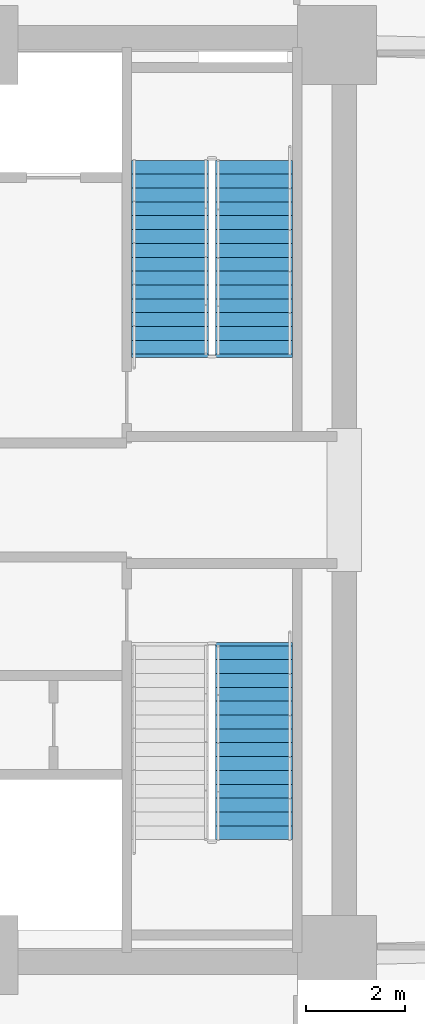
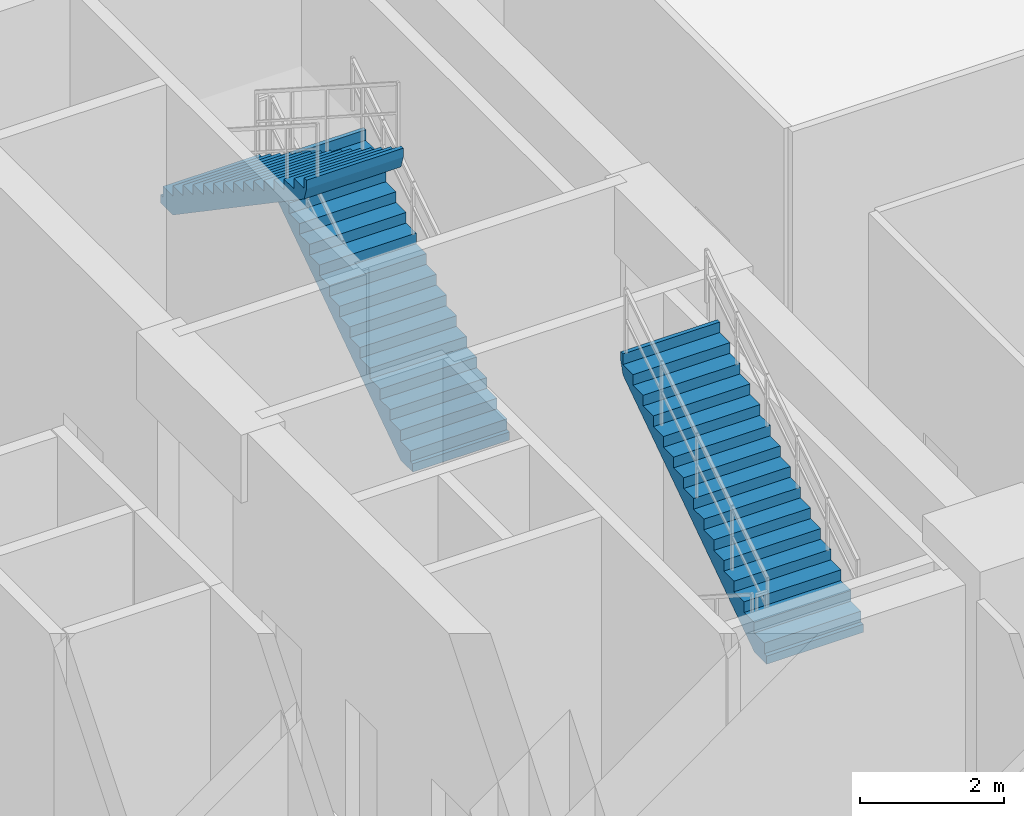
# One storey, part 9 of 12: 3 stair flights, 2 elements without a shape of their own.
"""IFC4 building model written with IfcOpenShell, lengths in metres."""

from ifc_helpers import new_model, si_unit, direction, frame, origin, place, context, subcontext, project, spatial, polyline, outline, extrude, material, type_object, element, aggregate, save


model = new_model("IFC4")

# Units and contexts
model_context = context("Model", 3, precision=1e-05, world=origin(), true_north=direction((0.0, 1.0)))
body_context = subcontext(model_context, "Body", "Model", "MODEL_VIEW")
ifc_project = project(units=[si_unit("LENGTHUNIT", "METRE"), si_unit("AREAUNIT", "SQUARE_METRE"), si_unit("VOLUMEUNIT", "CUBIC_METRE"), si_unit("PLANEANGLEUNIT", "RADIAN"), si_unit("MASSUNIT", "GRAM", prefix="KILO")], contexts=[model_context])

# Site, building, storey
site_placement = place(None, origin())
site = spatial("IfcSite", under=ifc_project, at=site_placement, CompositionType="ELEMENT")
building_placement = place(site_placement, origin())
building = spatial("IfcBuilding", under=site, at=building_placement, Name="Zahravan Cultural Tower", CompositionType="ELEMENT")
storey_placement = place(building_placement, frame((0.0, 0.0, 18.0)))
storey = spatial("IfcBuildingStorey", under=building, at=storey_placement, Name="L03", CompositionType="ELEMENT", Elevation=18.0)

# Stair, stair flights
ifc_material = material(Name="Concrete C45/55", Category="concrete")
stair_type = type_object("IfcStairType", Name="STR-DL-1550-540", PredefinedType="HALF_TURN_STAIR", material=ifc_material)
stair_1_placement = place(storey_placement, origin())
stair_1 = element("IfcStair", 1, at=stair_1_placement, inside=storey, type_object=stair_type, Name="L03 East Core North Exit Stair ST-E1", PredefinedType="HALF_TURN_STAIR")
stair_flight_type = type_object("IfcStairFlightType", Name="FLG-DL-1550-540", PredefinedType="STRAIGHT", material=ifc_material)
stair_flight_1_placement = place(storey_placement, frame((48.675048828125, 29.949951171875, 0.0), z_axis=(0.0, 0.0, 1.0), x_axis=(0.0, 1.0, 0.0)))
stair_flight_1 = element("IfcStairFlight", 2, at=stair_flight_1_placement, type_object=stair_flight_type, Name="ST-E1 flight 1", NumberOfRisers=15, NumberOfTreads=14, PredefinedType="STRAIGHT", RiserHeight=0.18, TreadLength=0.28, context=body_context, shape_type="SweptSolid", body=[
    extrude(outline(polyline([(-0.06494140625, -0.139892578125), (-0.06494140625, 0.0), (0.0, 0.0), (0.0, 0.179931640625), (0.280029296875, 0.179931640625), (0.280029296875, 0.360107421875), (0.56005859375, 0.360107421875), (0.56005859375, 0.5400390625), (0.840087890625, 0.5400390625), (0.840087890625, 0.719970703125), (1.1201171875, 0.719970703125), (1.1201171875, 0.89990234375), (1.39990234375, 0.89990234375), (1.39990234375, 1.080078125), (1.679931640625, 1.080078125), (1.679931640625, 1.260009765625), (1.9599609375, 1.260009765625), (1.9599609375, 1.43994140625), (2.239990234375, 1.43994140625), (2.239990234375, 1.6201171875), (2.52001953125, 1.6201171875), (2.52001953125, 1.800048828125), (2.800048828125, 1.800048828125), (2.800048828125, 1.97998046875), (3.080078125, 1.97998046875), (3.080078125, 2.159912109375), (3.360107421875, 2.159912109375), (3.360107421875, 2.340087890625), (3.639892578125, 2.340087890625), (3.639892578125, 2.52001953125), (3.919921875, 2.52001953125), (3.919921875, 2.699951171875), (3.985107421875, 2.699951171875), (3.985107421875, 2.550048828125), (3.919921875, 2.341796875), (0.277099609375, -0.139892578125), (-0.06494140625, -0.139892578125)])), frame((0.0, 0.77490234375, 0.0), z_axis=(0.0, -1.0, 0.0), x_axis=(1.0, 0.0, 0.0)), (0.0, 0.0, 1.0), 1.550048828125),
])
stair_flight_2_placement = place(storey_placement, frame((46.97509765625, 33.8701171875, 2.699951171875), z_axis=(0.0, 0.0, 1.0), x_axis=(0.0, -1.0, 0.0)))
stair_flight_2 = element("IfcStairFlight", 3, at=stair_flight_2_placement, type_object=stair_flight_type, Name="ST-E1 flight 2", NumberOfRisers=15, NumberOfTreads=14, PredefinedType="STRAIGHT", RiserHeight=0.18, TreadLength=0.28, context=body_context, shape_type="SweptSolid", body=[
    extrude(outline(polyline([(-0.06494140625, -0.139892578125), (-0.06494140625, 0.0), (0.0, 0.0), (0.0, 0.179931640625), (0.280029296875, 0.179931640625), (0.280029296875, 0.360107421875), (0.56005859375, 0.360107421875), (0.56005859375, 0.5400390625), (0.840087890625, 0.5400390625), (0.840087890625, 0.719970703125), (1.1201171875, 0.719970703125), (1.1201171875, 0.89990234375), (1.39990234375, 0.89990234375), (1.39990234375, 1.080078125), (1.679931640625, 1.080078125), (1.679931640625, 1.260009765625), (1.9599609375, 1.260009765625), (1.9599609375, 1.43994140625), (2.239990234375, 1.43994140625), (2.239990234375, 1.6201171875), (2.52001953125, 1.6201171875), (2.52001953125, 1.800048828125), (2.800048828125, 1.800048828125), (2.800048828125, 1.97998046875), (3.080078125, 1.97998046875), (3.080078125, 2.159912109375), (3.360107421875, 2.159912109375), (3.360107421875, 2.340087890625), (3.639892578125, 2.340087890625), (3.639892578125, 2.52001953125), (3.919921875, 2.52001953125), (3.919921875, 2.699951171875), (3.985107421875, 2.699951171875), (3.985107421875, 2.550048828125), (3.919921875, 2.341796875), (0.277099609375, -0.139892578125), (-0.06494140625, -0.139892578125)])), frame((0.0, 0.77490234375, 0.0), z_axis=(0.0, -1.0, 0.0), x_axis=(1.0, 0.0, 0.0)), (0.0, 0.0, 1.0), 1.550048828125),
])
aggregate(stair_1, [stair_flight_1, stair_flight_2])

# Stair, stair flight
stair_2_placement = place(storey_placement, origin())
stair_2 = element("IfcStair", 4, at=stair_2_placement, inside=storey, type_object=stair_type, Name="L03 East Core South Exit Stair ST-E2", PredefinedType="HALF_TURN_STAIR")
stair_flight_3_placement = place(storey_placement, frame((48.675048828125, 20.1298828125, 2.699951171875), z_axis=(0.0, 0.0, 1.0), x_axis=(0.0, 1.0, 0.0)))
stair_flight_3 = element("IfcStairFlight", 5, at=stair_flight_3_placement, type_object=stair_flight_type, Name="ST-E2 flight 2", NumberOfRisers=15, NumberOfTreads=14, PredefinedType="STRAIGHT", RiserHeight=0.18, TreadLength=0.28, context=body_context, shape_type="SweptSolid", body=[
    extrude(outline(polyline([(-0.06494140625, -0.139892578125), (-0.06494140625, 0.0), (0.0, 0.0), (0.0, 0.179931640625), (0.280029296875, 0.179931640625), (0.280029296875, 0.360107421875), (0.56005859375, 0.360107421875), (0.56005859375, 0.5400390625), (0.840087890625, 0.5400390625), (0.840087890625, 0.719970703125), (1.1201171875, 0.719970703125), (1.1201171875, 0.89990234375), (1.39990234375, 0.89990234375), (1.39990234375, 1.080078125), (1.679931640625, 1.080078125), (1.679931640625, 1.260009765625), (1.9599609375, 1.260009765625), (1.9599609375, 1.43994140625), (2.239990234375, 1.43994140625), (2.239990234375, 1.6201171875), (2.52001953125, 1.6201171875), (2.52001953125, 1.800048828125), (2.800048828125, 1.800048828125), (2.800048828125, 1.97998046875), (3.080078125, 1.97998046875), (3.080078125, 2.159912109375), (3.360107421875, 2.159912109375), (3.360107421875, 2.340087890625), (3.639892578125, 2.340087890625), (3.639892578125, 2.52001953125), (3.919921875, 2.52001953125), (3.919921875, 2.699951171875), (3.985107421875, 2.699951171875), (3.985107421875, 2.550048828125), (3.919921875, 2.341796875), (0.277099609375, -0.139892578125), (-0.06494140625, -0.139892578125)])), frame((0.0, 0.77490234375, 0.0), z_axis=(0.0, -1.0, 0.0), x_axis=(1.0, 0.0, 0.0)), (0.0, 0.0, 1.0), 1.550048828125),
])
aggregate(stair_2, [stair_flight_3])

save(model, "model.ifc")
